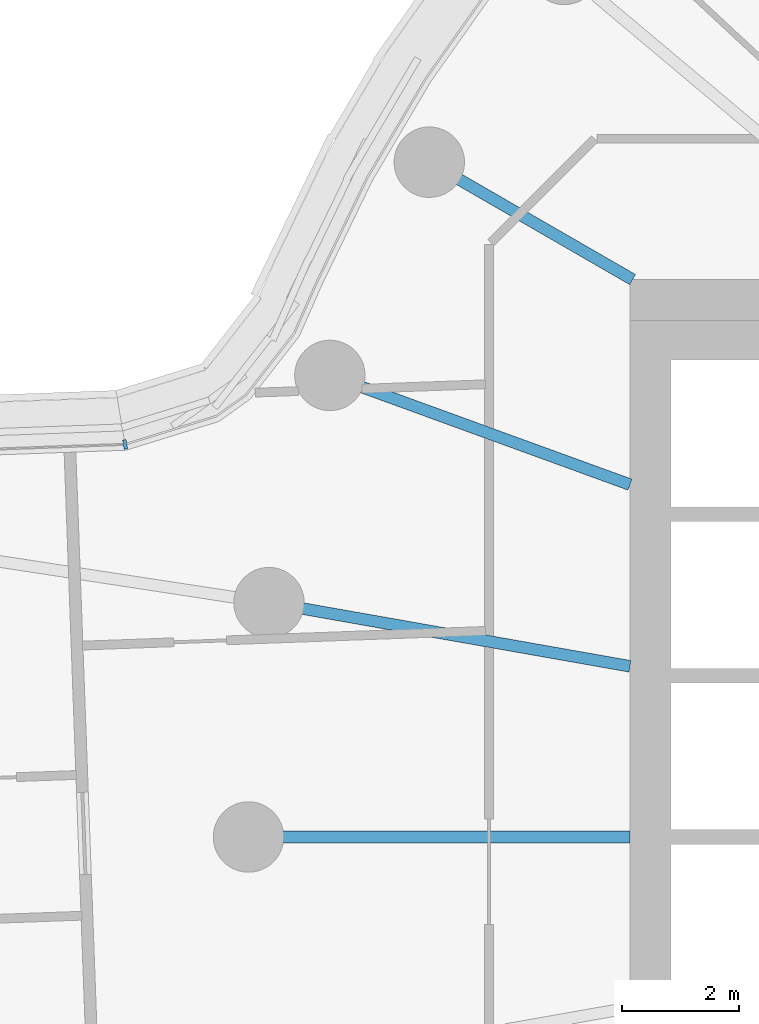
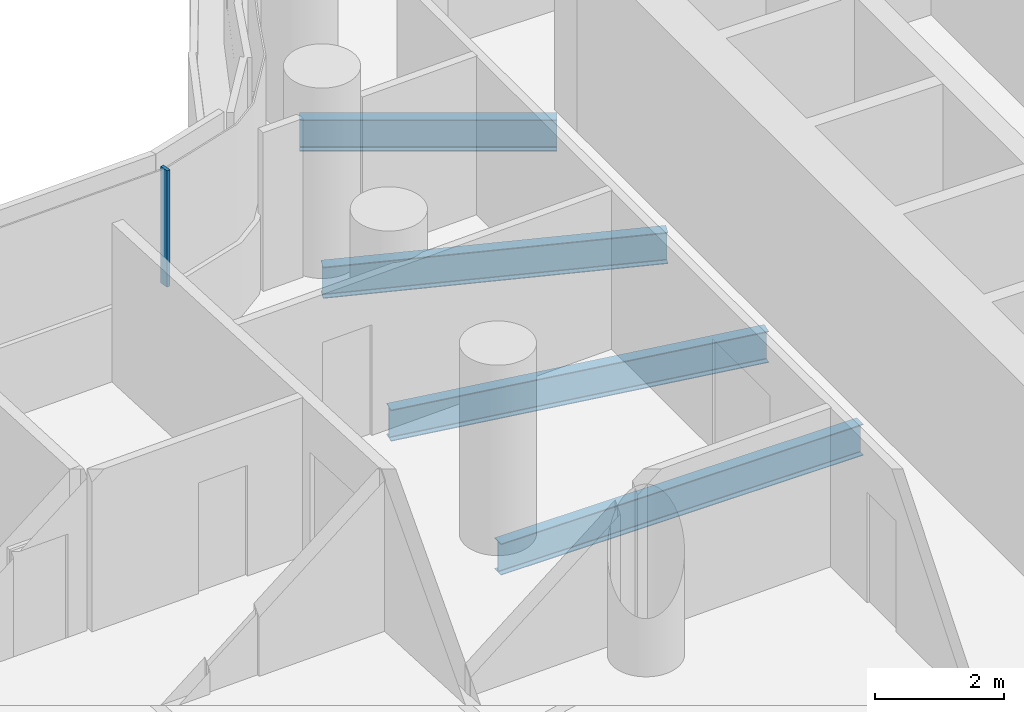
# One storey, part 7 of 31: 4 beams, 1 member, 1 element without a shape of its own.
"""IFC4 building model written with IfcOpenShell, lengths in metres."""

from ifc_helpers import new_model, si_unit, direction, frame, origin, origin_2d, place, context, subcontext, project, spatial, rectangle, i_section, extrude, material, layer, layer_set, material_profile, profile_set, type_object, element, aggregate, save


model = new_model("IFC4")

# Units and contexts
model_context = context("Model", 3, precision=1e-05, world=origin(), true_north=direction((0.0, 1.0)))
body_context = subcontext(model_context, "Body", "Model", "MODEL_VIEW")
ifc_project = project(units=[si_unit("LENGTHUNIT", "METRE"), si_unit("AREAUNIT", "SQUARE_METRE"), si_unit("VOLUMEUNIT", "CUBIC_METRE"), si_unit("PLANEANGLEUNIT", "RADIAN"), si_unit("MASSUNIT", "GRAM", prefix="KILO")], contexts=[model_context])

# Site, building, storey
site_placement = place(None, origin())
site = spatial("IfcSite", under=ifc_project, at=site_placement, CompositionType="ELEMENT")
building_placement = place(site_placement, origin())
building = spatial("IfcBuilding", under=site, at=building_placement, Name="Tamarind Cross Interchange Tower", CompositionType="ELEMENT")
storey_placement = place(building_placement, frame((0.0, 0.0, 41.5)))
storey = spatial("IfcBuildingStorey", under=building, at=storey_placement, Name="L08", CompositionType="ELEMENT", Elevation=41.5)

# Beams
ifc_material_1 = material(Name="Steel Q355B", Category="steel")
ifc_material_profile_1 = material_profile(ifc_material_1, i_section(OverallWidth=0.198974609375, OverallDepth=0.595947265625, WebThickness=0.010009765625, FlangeThickness=0.014892578125, FilletRadius=0.012939453125, at=origin_2d()), Name="HN 596x199x10x15")
ifc_profile_set_1 = profile_set([ifc_material_profile_1], Name="Steel Q355B")
beam_type = type_object("IfcBeamType", Name="Composite beam HN 596x199x10x15 Q355B", PredefinedType="BEAM", material=ifc_profile_set_1)
beam_1_placement = place(storey_placement, frame((-19.918701171875, 11.5, -0.43798828125), z_axis=(0.866026010844, -0.49999894854, 0.0), x_axis=(0.49999894854, 0.866026010844, 0.0)))
element("IfcBeam", 1, at=beam_1_placement, inside=storey, type_object=beam_type, Name="Beam HH15", PredefinedType="BEAM", context=body_context, shape_type="SweptSolid", body=[
    extrude(i_section(OverallWidth=0.198974609375, OverallDepth=0.595947265625, WebThickness=0.010009765625, FlangeThickness=0.014892578125, FilletRadius=0.012939453125, at=origin_2d()), origin(), (0.0, 0.0, 1.0), 4.0),
])
beam_2_placement = place(storey_placement, frame((-21.613037109375, 7.866455078125, -0.43798828125), z_axis=(0.939701685589, -0.341995236956, 0.0), x_axis=(0.341995236956, 0.939701685589, 0.0)))
element("IfcBeam", 2, at=beam_2_placement, inside=storey, type_object=beam_type, Name="Beam HH16", PredefinedType="BEAM", context=body_context, shape_type="SweptSolid", body=[
    extrude(i_section(OverallWidth=0.198974609375, OverallDepth=0.595947265625, WebThickness=0.010009765625, FlangeThickness=0.014892578125, FilletRadius=0.012939453125, at=origin_2d()), origin(), (0.0, 0.0, 1.0), 5.441162109375),
])
beam_3_placement = place(storey_placement, frame((-22.650634765625, 3.993896484375, -0.43798828125), z_axis=(0.984809127561, -0.173640382036, 0.0), x_axis=(0.173640382036, 0.984809127561, 0.0)))
element("IfcBeam", 3, at=beam_3_placement, inside=storey, type_object=beam_type, Name="Beam HH17", PredefinedType="BEAM", context=body_context, shape_type="SweptSolid", body=[
    extrude(i_section(OverallWidth=0.198974609375, OverallDepth=0.595947265625, WebThickness=0.010009765625, FlangeThickness=0.014892578125, FilletRadius=0.012939453125, at=origin_2d()), origin(), (0.0, 0.0, 1.0), 6.24560546875),
])
beam_4_placement = place(storey_placement, frame((-23.0, 0.0, -0.43798828125), z_axis=(1.0, 0.0, 0.0), x_axis=(0.0, 1.0, 0.0)))
element("IfcBeam", 4, at=beam_4_placement, inside=storey, type_object=beam_type, Name="Beam HH18", PredefinedType="BEAM", context=body_context, shape_type="SweptSolid", body=[
    extrude(i_section(OverallWidth=0.198974609375, OverallDepth=0.595947265625, WebThickness=0.010009765625, FlangeThickness=0.014892578125, FilletRadius=0.012939453125, at=origin_2d()), origin(), (0.0, 0.0, 1.0), 6.5),
])

# Curtain wall, member
ifc_material_2 = material(Name="Aluminium 6063-T6", Category="aluminium")
ifc_layer = layer(ifc_material_2, 0.159912109375)
ifc_layer_set = layer_set([ifc_layer], Name="Aluminium 6063-T6")
curtain_wall_type = type_object("IfcCurtainWallType", Name="Office curtain wall, 9.0 m bays", PredefinedType="NOTDEFINED", material=ifc_layer_set)
curtain_wall_placement = place(storey_placement, origin())
curtain_wall = element("IfcCurtainWall", 5, at=curtain_wall_placement, inside=storey, type_object=curtain_wall_type, Name="CWS-L08-15", PredefinedType="NOTDEFINED")
ifc_material_profile_2 = material_profile(ifc_material_2, rectangle(XDim=0.06005859375, YDim=0.159912109375, at=origin_2d()), Name="Mullion CW1")
ifc_profile_set_2 = profile_set([ifc_material_profile_2], Name="Aluminium 6063-T6")
member_type = type_object("IfcMemberType", Name="Mullion CW1", PredefinedType="MULLION", material=ifc_profile_set_2)
member_placement = place(storey_placement, frame((-25.1025390625, 6.69140625, 1.39990234375), z_axis=(0.0, 0.0, 1.0), x_axis=(-0.985846612126, -0.167649805724, 0.0)))
member = element("IfcMember", 6, at=member_placement, type_object=member_type, Name="CWM-L08-15-00", PredefinedType="MULLION", context=body_context, shape_type="SweptSolid", body=[
    extrude(rectangle(XDim=0.06005859375, YDim=0.159912109375, at=origin_2d()), origin(), (0.0, 0.0, 1.0), 2.210205078125),
])
aggregate(curtain_wall, [member])

save(model, "model.ifc")
